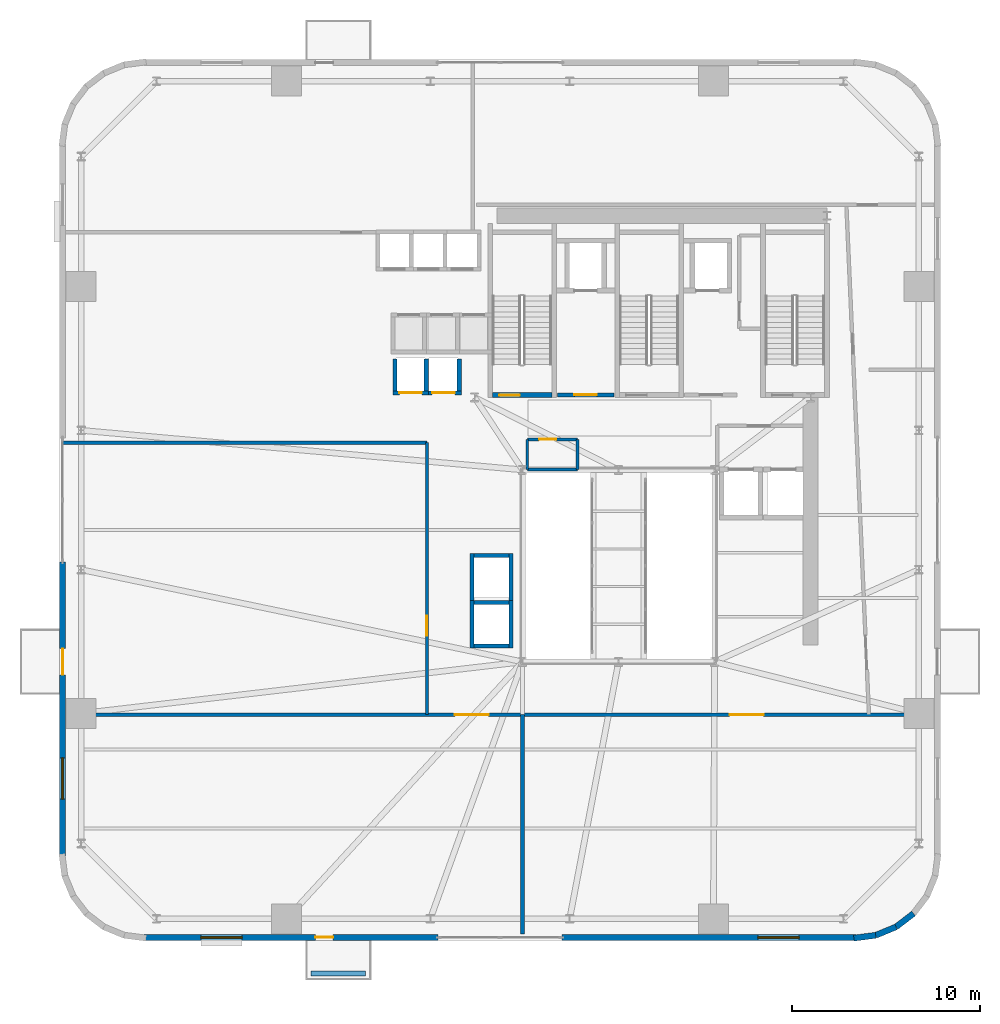
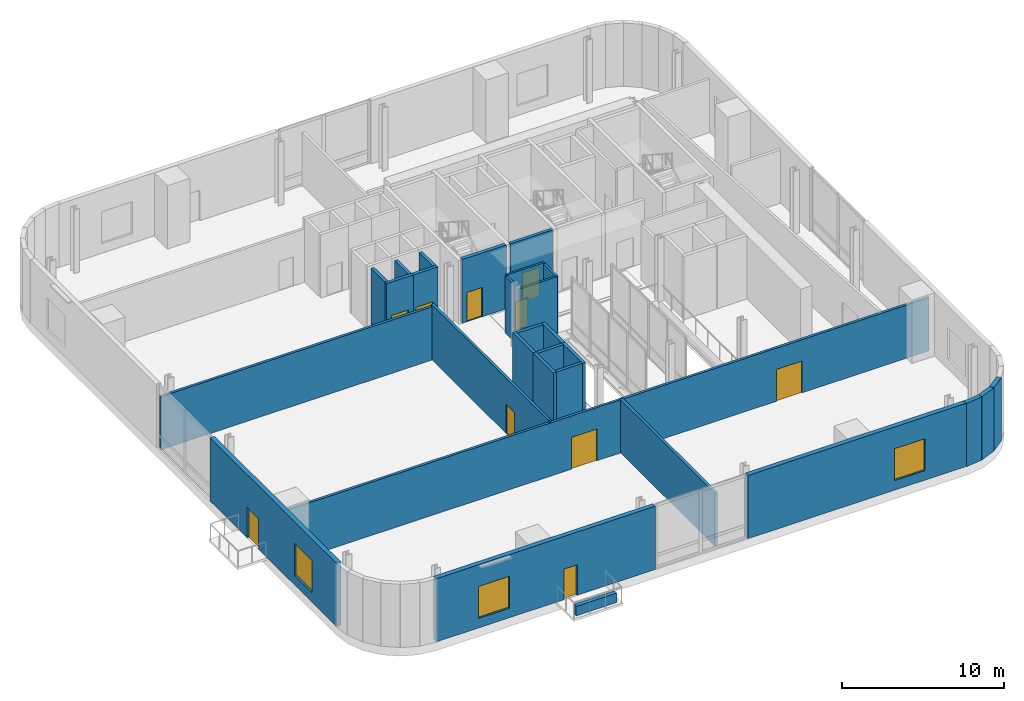
# One storey, part 7 of 13: 29 walls, 10 doors, 3 windows, 13 openings.
"""IFC4 building model written with IfcOpenShell, lengths in metres."""

from ifc_helpers import new_model, si_unit, direction, frame, frame_2d, origin, place, context, subcontext, project, spatial, rectangle, extrude, source, transform, mapped, material, layer, layer_set, type_object, element, fill, save


model = new_model("IFC4")

# Units and contexts
model_context = context("Model", 3, precision=1e-05, world=origin(), true_north=direction((0.0, 1.0)))
body_context = subcontext(model_context, "Body", "Model", "MODEL_VIEW")
ifc_project = project(units=[si_unit("LENGTHUNIT", "METRE"), si_unit("AREAUNIT", "SQUARE_METRE"), si_unit("VOLUMEUNIT", "CUBIC_METRE"), si_unit("PLANEANGLEUNIT", "RADIAN"), si_unit("MASSUNIT", "GRAM", prefix="KILO")], contexts=[model_context])

# Site, building, storey
site_placement = place(None, origin())
site = spatial("IfcSite", under=ifc_project, at=site_placement, CompositionType="ELEMENT")
building_placement = place(site_placement, origin())
building = spatial("IfcBuilding", under=site, at=building_placement, Name="Vardaveli Station Tower", CompositionType="ELEMENT")
storey_placement = place(building_placement, frame((0.0, 0.0, 98.699951171875)))
storey = spatial("IfcBuildingStorey", under=building, at=storey_placement, Name="L25", CompositionType="ELEMENT", Elevation=98.699951171875)

# Wall
ifc_material_1 = material(Name="Precast concrete C45/55", Category="concrete")
ifc_layer_1 = layer(ifc_material_1, 0.280029296875, Name="Precast concrete C45/55")
ifc_layer_set_1 = layer_set([ifc_layer_1], Name="Precast concrete C45/55")
wall_type_1 = type_object("IfcWallType", Name="WAL-PARAPET-280", PredefinedType="SOLIDWALL", material=ifc_layer_set_1)
shared_shape_1 = source(origin(), body_context, "Body", "SweptSolid", [
    extrude(rectangle(XDim=2.89990234375, YDim=0.280029296875, at=frame_2d((1.449951171875, 0.0))), origin(), (0.0, 0.0, 1.0), 0.719970703125),
])
wall_1_placement = place(storey_placement, frame((19.96044921875, 0.050048828125, 0.0), z_axis=(0.0, 0.0, 1.0), x_axis=(1.0, 0.0, 0.0)))
element("IfcWall", 1, at=wall_1_placement, inside=storey, type_object=wall_type_1, Name="Terrace Travertine Planter L25", PredefinedType="SOLIDWALL", context=body_context, shape_type="MappedRepresentation", body=[
    mapped(shared_shape_1, transform((0.0, 0.0, 0.0), scale=1.0)),
])

# Wall, openings, window, door
ifc_layer_2 = layer(ifc_material_1, 0.320068359375, Name="Precast concrete C45/55")
ifc_layer_set_2 = layer_set([ifc_layer_2], Name="Precast concrete C45/55")
wall_type_2 = type_object("IfcWallType", Name="WAL-EXT-STONE-320", PredefinedType="SOLIDWALL", material=ifc_layer_set_2)
shared_shape_2 = source(origin(), body_context, "Body", "SweptSolid", [
    extrude(rectangle(XDim=15.599853515625, YDim=0.320068359375, at=frame_2d((7.7998046875, 0.0))), origin(), (0.0, 0.0, 1.0), 4.760009765625),
])
wall_2_placement = place(storey_placement, frame((11.10009765625, 1.9599609375, 0.0), z_axis=(0.0, 0.0, 1.0), x_axis=(1.0, 0.0, 0.0)))
wall_2 = element("IfcWall", 2, at=wall_2_placement, inside=storey, type_object=wall_type_2, Name="EW-L25-S1", PredefinedType="SOLIDWALL", context=body_context, shape_type="MappedRepresentation", body=[
    mapped(shared_shape_2, transform((0.0, 0.0, 0.0), scale=1.0)),
])
shared_shape_3 = source(origin(), body_context, "Body", "SweptSolid", [
    extrude(rectangle(XDim=0.949951171875, YDim=2.300048828125, at=frame_2d((0.47509765625, 1.14990234375))), frame((0.0, 0.169921875, 0.0), z_axis=(0.0, -1.0, 0.0), x_axis=(1.0, 0.0, 0.0)), (0.0, 0.0, 1.0), 0.340087890625),
])
opening_1_placement = place(wall_2_placement, frame((9.08544921875, 0.0, 0.0)))
opening_1 = element("IfcOpeningElement", 3, at=opening_1_placement, cuts=wall_2, Name="Opening D-10", PredefinedType="OPENING", context=body_context, shape_type="MappedRepresentation", body=[
    mapped(shared_shape_3, transform((0.0, 0.0, 0.0), scale=1.0)),
])
shared_shape_4 = source(origin(), body_context, "Body", "SweptSolid", [
    extrude(rectangle(XDim=2.199951171875, YDim=2.39990234375, at=frame_2d((1.10009765625, 1.199951171875))), frame((0.0, 0.169921875, 0.0), z_axis=(0.0, -1.0, 0.0), x_axis=(1.0, 0.0, 0.0)), (0.0, 0.0, 1.0), 0.340087890625),
])
opening_2_placement = place(wall_2_placement, frame((3.0048828125, 0.0, 0.719970703125)))
opening_2 = element("IfcOpeningElement", 4, at=opening_2_placement, cuts=wall_2, Name="Opening W-03", PredefinedType="OPENING", context=body_context, shape_type="MappedRepresentation", body=[
    mapped(shared_shape_4, transform((0.0, 0.0, 0.0), scale=1.0)),
])
ifc_material_2 = material(Name="Low-E solar-control glass", Category="glass")
window_type = type_object("IfcWindowType", Name="WIN-LOG-2200x2400", PartitioningType="SINGLE_PANEL", PredefinedType="WINDOW", material=ifc_material_2)
shared_shape_5 = source(origin(), body_context, "Body", "SweptSolid", [
    extrude(rectangle(XDim=2.199951171875, YDim=2.39990234375, at=frame_2d((1.10009765625, 1.199951171875))), frame((0.0, 0.030029296875, 0.0), z_axis=(0.0, -1.0, 0.0), x_axis=(1.0, 0.0, 0.0)), (0.0, 0.0, 1.0), 0.06005859375),
])
window_1_placement = place(opening_2_placement, origin())
window_1 = element("IfcWindow", 5, at=window_1_placement, inside=storey, type_object=window_type, Name="WN-L25-S1", OverallHeight=2.39990234375, OverallWidth=2.199951171875, PartitioningType="SINGLE_PANEL", PredefinedType="WINDOW", context=body_context, shape_type="MappedRepresentation", body=[
    mapped(shared_shape_5, transform((0.0, 0.0, 0.0), scale=1.0)),
])
fill(opening_2, window_1)
ifc_material_3 = material(Name="Thermally broken aluminium glass", Category="aluminium")
door_type_1 = type_object("IfcDoorType", Name="DR-LOG-950x2300", OperationType="NOTDEFINED", PredefinedType="DOOR", material=ifc_material_3)
shared_shape_6 = source(origin(), body_context, "Body", "SweptSolid", [
    extrude(rectangle(XDim=0.949951171875, YDim=2.300048828125, at=frame_2d((0.47509765625, 1.14990234375))), frame((0.0, 0.02490234375, 0.0), z_axis=(0.0, -1.0, 0.0), x_axis=(1.0, 0.0, 0.0)), (0.0, 0.0, 1.0), 0.050048828125),
])
door_1_placement = place(opening_1_placement, frame((0.949951171875, 0.0, 0.0), z_axis=(0.0, 0.0, 1.0), x_axis=(-1.0, 0.0, 0.0)))
door_1 = element("IfcDoor", 6, at=door_1_placement, inside=storey, type_object=door_type_1, Name="DLG-L25-S", OperationType="NOTDEFINED", OverallHeight=2.300048828125, OverallWidth=0.949951171875, PredefinedType="DOOR", context=body_context, shape_type="MappedRepresentation", body=[
    mapped(shared_shape_6, transform((0.0, 0.0, 0.0), scale=1.0)),
])
fill(opening_1, door_1)

# Wall, opening, window
wall_3_placement = place(storey_placement, frame((33.300048828125, 1.9599609375, 0.0), z_axis=(0.0, 0.0, 1.0), x_axis=(1.0, 0.0, 0.0)))
wall_3 = element("IfcWall", 7, at=wall_3_placement, inside=storey, type_object=wall_type_2, Name="EW-L25-S2", PredefinedType="SOLIDWALL", context=body_context, shape_type="MappedRepresentation", body=[
    mapped(shared_shape_2, transform((0.0, 0.0, 0.0), scale=1.0)),
])
opening_3_placement = place(wall_3_placement, frame((10.39501953125, 0.0, 0.719970703125)))
opening_3 = element("IfcOpeningElement", 8, at=opening_3_placement, cuts=wall_3, Name="Opening W-03", PredefinedType="OPENING", context=body_context, shape_type="MappedRepresentation", body=[
    mapped(shared_shape_4, transform((0.0, 0.0, 0.0), scale=1.0)),
])
window_2_placement = place(opening_3_placement, origin())
window_2 = element("IfcWindow", 9, at=window_2_placement, inside=storey, type_object=window_type, Name="WN-L25-S2", OverallHeight=2.39990234375, OverallWidth=2.199951171875, PartitioningType="SINGLE_PANEL", PredefinedType="WINDOW", context=body_context, shape_type="MappedRepresentation", body=[
    mapped(shared_shape_5, transform((0.0, 0.0, 0.0), scale=1.0)),
])
fill(opening_3, window_2)

# Wall, openings, door, window
wall_4_placement = place(storey_placement, frame((6.760009765625, 21.89990234375, 0.0), z_axis=(0.0, 0.0, 1.0), x_axis=(0.0, -1.0, 0.0)))
wall_4 = element("IfcWall", 10, at=wall_4_placement, inside=storey, type_object=wall_type_2, Name="EW-L25-W2", PredefinedType="SOLIDWALL", context=body_context, shape_type="MappedRepresentation", body=[
    mapped(shared_shape_2, transform((0.0, 0.0, 0.0), scale=1.0)),
])
shared_shape_7 = source(origin(), body_context, "Body", "SweptSolid", [
    extrude(rectangle(XDim=1.39990234375, YDim=2.300048828125, at=frame_2d((0.699951171875, 1.14990234375))), frame((0.0, 0.169921875, 0.0), z_axis=(0.0, -1.0, 0.0), x_axis=(1.0, 0.0, 0.0)), (0.0, 0.0, 1.0), 0.340087890625),
])
opening_4_placement = place(wall_4_placement, frame((4.589599609375, 0.0, 0.0)))
opening_4 = element("IfcOpeningElement", 11, at=opening_4_placement, cuts=wall_4, Name="Opening D-09", PredefinedType="OPENING", context=body_context, shape_type="MappedRepresentation", body=[
    mapped(shared_shape_7, transform((0.0, 0.0, 0.0), scale=1.0)),
])
opening_5_placement = place(wall_4_placement, frame((10.39501953125, 0.0, 0.719970703125)))
opening_5 = element("IfcOpeningElement", 12, at=opening_5_placement, cuts=wall_4, Name="Opening W-03", PredefinedType="OPENING", context=body_context, shape_type="MappedRepresentation", body=[
    mapped(shared_shape_4, transform((0.0, 0.0, 0.0), scale=1.0)),
])
door_type_2 = type_object("IfcDoorType", Name="DR-LOG-1400x2300", OperationType="DOUBLE_DOOR_SLIDING", PredefinedType="DOOR", material=ifc_material_3)
shared_shape_8 = source(origin(), body_context, "Body", "SweptSolid", [
    extrude(rectangle(XDim=1.39990234375, YDim=2.300048828125, at=frame_2d((0.699951171875, 1.14990234375))), frame((0.0, 0.02490234375, 0.0), z_axis=(0.0, -1.0, 0.0), x_axis=(1.0, 0.0, 0.0)), (0.0, 0.0, 1.0), 0.050048828125),
])
door_2_placement = place(opening_4_placement, frame((1.39990234375, 0.0, 0.0), z_axis=(0.0, 0.0, 1.0), x_axis=(-1.0, 0.0, 0.0)))
door_2 = element("IfcDoor", 13, at=door_2_placement, inside=storey, type_object=door_type_2, Name="DLG-L25-W", OperationType="DOUBLE_DOOR_SLIDING", OverallHeight=2.300048828125, OverallWidth=1.39990234375, PredefinedType="DOOR", context=body_context, shape_type="MappedRepresentation", body=[
    mapped(shared_shape_8, transform((0.0, 0.0, 0.0), scale=1.0)),
])
fill(opening_4, door_2)
window_3_placement = place(opening_5_placement, origin())
window_3 = element("IfcWindow", 14, at=window_3_placement, inside=storey, type_object=window_type, Name="WN-L25-W2", OverallHeight=2.39990234375, OverallWidth=2.199951171875, PartitioningType="SINGLE_PANEL", PredefinedType="WINDOW", context=body_context, shape_type="MappedRepresentation", body=[
    mapped(shared_shape_5, transform((0.0, 0.0, 0.0), scale=1.0)),
])
fill(opening_5, window_3)

# Walls
shared_shape_9 = source(origin(), body_context, "Body", "SweptSolid", [
    extrude(rectangle(XDim=1.168701171875, YDim=0.320068359375, at=frame_2d((0.58447265625, 0.0))), origin(), (0.0, 0.0, 1.0), 4.760009765625),
])
wall_5_placement = place(storey_placement, frame((51.041259765625, 2.520263671875, 0.0), z_axis=(0.0, 0.0, 1.0), x_axis=(0.793663520347, 0.608356981114, 0.0)))
element("IfcWall", 15, at=wall_5_placement, inside=storey, type_object=wall_type_2, Name="EW-L25-CR2-3", PredefinedType="SOLIDWALL", context=body_context, shape_type="MappedRepresentation", body=[
    mapped(shared_shape_9, transform((0.0, 0.0, 0.0), scale=1.0)),
])
shared_shape_10 = source(origin(), body_context, "Body", "SweptSolid", [
    extrude(rectangle(XDim=1.16943359375, YDim=0.320068359375, at=frame_2d((0.584716796875, 0.0))), origin(), (0.0, 0.0, 1.0), 4.760009765625),
])
wall_6_placement = place(storey_placement, frame((49.960205078125, 2.074462890625, 0.0), z_axis=(0.0, 0.0, 1.0), x_axis=(0.924479075121, 0.381232789334, 0.0)))
element("IfcWall", 16, at=wall_6_placement, inside=storey, type_object=wall_type_2, Name="EW-L25-CR2-2", PredefinedType="SOLIDWALL", context=body_context, shape_type="MappedRepresentation", body=[
    mapped(shared_shape_10, transform((0.0, 0.0, 0.0), scale=1.0)),
])
shared_shape_11 = source(origin(), body_context, "Body", "SweptSolid", [
    extrude(rectangle(XDim=1.170166015625, YDim=0.320068359375, at=frame_2d((0.5849609375, 0.0))), origin(), (0.0, 0.0, 1.0), 4.760009765625),
])
wall_7_placement = place(storey_placement, frame((48.799560546875, 1.924560546875, 0.0), z_axis=(0.0, 0.0, 1.0), x_axis=(0.991762485493, 0.128090485085, 0.0)))
element("IfcWall", 17, at=wall_7_placement, inside=storey, type_object=wall_type_2, Name="EW-L25-CR2-1", PredefinedType="SOLIDWALL", context=body_context, shape_type="MappedRepresentation", body=[
    mapped(shared_shape_11, transform((0.0, 0.0, 0.0), scale=1.0)),
])

# Wall, opening, door
ifc_material_4 = material(Name="Concrete C40/50", Category="concrete")
ifc_layer_3 = layer(ifc_material_4, 0.25, Name="Concrete C40/50")
ifc_layer_set_3 = layer_set([ifc_layer_3], Name="Concrete C40/50")
wall_type_3 = type_object("IfcWallType", Name="WAL-SHAFT-250", PredefinedType="SOLIDWALL", material=ifc_layer_set_3)
shared_shape_12 = source(origin(), body_context, "Body", "SweptSolid", [
    extrude(rectangle(XDim=3.14990234375, YDim=0.25, at=frame_2d((1.574951171875, 0.0))), origin(), (0.0, 0.0, 1.0), 4.800048828125),
])
wall_8_placement = place(storey_placement, frame((29.60009765625, 30.77490234375, 0.0), z_axis=(0.0, 0.0, 1.0), x_axis=(1.0, 0.0, 0.0)))
wall_8 = element("IfcWall", 18, at=wall_8_placement, inside=storey, type_object=wall_type_3, Name="W-L25-ST-1S", PredefinedType="SOLIDWALL", context=body_context, shape_type="MappedRepresentation", body=[
    mapped(shared_shape_12, transform((0.0, 0.0, 0.0), scale=1.0)),
])
shared_shape_13 = source(origin(), body_context, "Body", "SweptSolid", [
    extrude(rectangle(XDim=1.10009765625, YDim=2.199951171875, at=frame_2d((0.550048828125, 1.10009765625))), frame((0.0, 0.135009765625, 0.0), z_axis=(0.0, -1.0, 0.0), x_axis=(1.0, 0.0, 0.0)), (0.0, 0.0, 1.0), 0.27001953125),
])
opening_6_placement = place(wall_8_placement, frame((0.35009765625, 0.0, 0.0)))
opening_6 = element("IfcOpeningElement", 19, at=opening_6_placement, cuts=wall_8, Name="Opening D-04", PredefinedType="OPENING", context=body_context, shape_type="MappedRepresentation", body=[
    mapped(shared_shape_13, transform((0.0, 0.0, 0.0), scale=1.0)),
])
ifc_material_5 = material(Name="Steel smokeproof fire doorset", Category="steel")
door_type_3 = type_object("IfcDoorType", Name="DR-ST-1100x2200", OperationType="NOTDEFINED", PredefinedType="DOOR", material=ifc_material_5)
shared_shape_14 = source(origin(), body_context, "Body", "SweptSolid", [
    extrude(rectangle(XDim=1.10009765625, YDim=2.199951171875, at=frame_2d((0.550048828125, 1.10009765625))), frame((0.0, 0.02490234375, 0.0), z_axis=(0.0, -1.0, 0.0), x_axis=(1.0, 0.0, 0.0)), (0.0, 0.0, 1.0), 0.050048828125),
])
door_3_placement = place(opening_6_placement, origin())
door_3 = element("IfcDoor", 20, at=door_3_placement, inside=storey, type_object=door_type_3, Name="DST-1-L25", OperationType="SINGLE_SWING_LEFT", OverallHeight=2.199951171875, OverallWidth=1.10009765625, PredefinedType="DOOR", context=body_context, shape_type="MappedRepresentation", body=[
    mapped(shared_shape_14, transform((0.0, 0.0, 0.0), scale=1.0)),
])
fill(opening_6, door_3)

ifc_layer_4 = layer(ifc_material_4, 0.219970703125, Name="Concrete C40/50")
ifc_layer_set_4 = layer_set([ifc_layer_4], Name="Concrete C40/50")
wall_type_4 = type_object("IfcWallType", Name="WAL-FFLOBBY-220", PredefinedType="SOLIDWALL", material=ifc_layer_set_4)
shared_shape_15 = source(origin(), body_context, "Body", "SweptSolid", [
    extrude(rectangle(XDim=3.0, YDim=0.219970703125, at=frame_2d((1.5, 0.0))), origin(), (0.0, 0.0, 1.0), 4.760009765625),
])
wall_9_placement = place(storey_placement, frame((33.050048828125, 30.780029296875, 0.0), z_axis=(0.0, 0.0, 1.0), x_axis=(1.0, 0.0, 0.0)))
wall_9 = element("IfcWall", 21, at=wall_9_placement, inside=storey, type_object=wall_type_4, Name="W-L25-FFL1S", PredefinedType="SOLIDWALL", context=body_context, shape_type="MappedRepresentation", body=[
    mapped(shared_shape_15, transform((0.0, 0.0, 0.0), scale=1.0)),
])
shared_shape_16 = source(origin(), body_context, "Body", "SweptSolid", [
    extrude(rectangle(XDim=1.199951171875, YDim=2.199951171875, at=frame_2d((0.60009765625, 1.10009765625))), frame((0.0, 0.1201171875, 0.0), z_axis=(0.0, -1.0, 0.0), x_axis=(1.0, 0.0, 0.0)), (0.0, 0.0, 1.0), 0.239990234375),
])
opening_7_placement = place(wall_9_placement, frame((0.89990234375, 0.0, 0.0)))
opening_7 = element("IfcOpeningElement", 22, at=opening_7_placement, cuts=wall_9, Name="Opening D-03", PredefinedType="OPENING", context=body_context, shape_type="MappedRepresentation", body=[
    mapped(shared_shape_16, transform((0.0, 0.0, 0.0), scale=1.0)),
])
door_type_4 = type_object("IfcDoorType", Name="DR-FFL-1200x2200", OperationType="NOTDEFINED", PredefinedType="DOOR", material=ifc_material_5)
shared_shape_17 = source(origin(), body_context, "Body", "SweptSolid", [
    extrude(rectangle(XDim=1.199951171875, YDim=2.199951171875, at=frame_2d((0.60009765625, 1.10009765625))), frame((0.0, 0.02490234375, 0.0), z_axis=(0.0, -1.0, 0.0), x_axis=(1.0, 0.0, 0.0)), (0.0, 0.0, 1.0), 0.050048828125),
])
door_4_placement = place(opening_7_placement, origin())
door_4 = element("IfcDoor", 23, at=door_4_placement, inside=storey, type_object=door_type_4, Name="DFFL1-L25", OperationType="SINGLE_SWING_LEFT", OverallHeight=2.199951171875, OverallWidth=1.199951171875, PredefinedType="DOOR", context=body_context, shape_type="MappedRepresentation", body=[
    mapped(shared_shape_17, transform((0.0, 0.0, 0.0), scale=1.0)),
])
fill(opening_7, door_4)

shared_shape_18 = source(origin(), body_context, "Body", "SweptSolid", [
    extrude(rectangle(XDim=1.89013671875, YDim=0.219970703125, at=frame_2d((0.945068359375, 0.0))), origin(), (0.0, 0.0, 1.0), 4.760009765625),
])
wall_10_placement = place(storey_placement, frame((24.304931640625, 30.889892578125, 0.0), z_axis=(0.0, 0.0, 1.0), x_axis=(1.0, 0.0, 0.0)))
wall_10 = element("IfcWall", 24, at=wall_10_placement, inside=storey, type_object=wall_type_4, Name="SHW-SHU-01-L25-S", PredefinedType="SOLIDWALL", context=body_context, shape_type="MappedRepresentation", body=[
    mapped(shared_shape_18, transform((0.0, 0.0, 0.0), scale=1.0)),
])
shared_shape_19 = source(origin(), body_context, "Body", "SweptSolid", [
    extrude(rectangle(XDim=1.199951171875, YDim=2.25, at=frame_2d((0.60009765625, 1.125))), frame((0.0, 0.1201171875, 0.0), z_axis=(0.0, -1.0, 0.0), x_axis=(1.0, 0.0, 0.0)), (0.0, 0.0, 1.0), 0.239990234375),
])
opening_8_placement = place(wall_10_placement, frame((0.344970703125, 0.0, 0.0)))
opening_8 = element("IfcOpeningElement", 25, at=opening_8_placement, cuts=wall_10, Name="Opening LD-02", PredefinedType="OPENING", context=body_context, shape_type="MappedRepresentation", body=[
    mapped(shared_shape_19, transform((0.0, 0.0, 0.0), scale=1.0)),
])
ifc_material_6 = material(Name="Brushed stainless steel", Category="steel")
door_type_5 = type_object("IfcDoorType", Name="DR-LD-1200x2250", OperationType="DOUBLE_DOOR_SLIDING", PredefinedType="DOOR", material=ifc_material_6)
shared_shape_20 = source(origin(), body_context, "Body", "SweptSolid", [
    extrude(rectangle(XDim=1.199951171875, YDim=2.25, at=frame_2d((0.60009765625, 1.125))), frame((0.0, 0.02490234375, 0.0), z_axis=(0.0, -1.0, 0.0), x_axis=(1.0, 0.0, 0.0)), (0.0, 0.0, 1.0), 0.050048828125),
])
door_5_placement = place(opening_8_placement, origin())
door_5 = element("IfcDoor", 26, at=door_5_placement, inside=storey, type_object=door_type_5, Name="LD-SHU-01-L25", OperationType="DOUBLE_DOOR_SLIDING", OverallHeight=2.25, OverallWidth=1.199951171875, PredefinedType="DOOR", context=body_context, shape_type="MappedRepresentation", body=[
    mapped(shared_shape_20, transform((0.0, 0.0, 0.0), scale=1.0)),
])
fill(opening_8, door_5)

wall_11_placement = place(storey_placement, frame((26.054931640625, 30.889892578125, 0.0), z_axis=(0.0, 0.0, 1.0), x_axis=(1.0, 0.0, 0.0)))
wall_11 = element("IfcWall", 27, at=wall_11_placement, inside=storey, type_object=wall_type_4, Name="SHW-SHU-02-L25-S", PredefinedType="SOLIDWALL", context=body_context, shape_type="MappedRepresentation", body=[
    mapped(shared_shape_18, transform((0.0, 0.0, 0.0), scale=1.0)),
])
opening_9_placement = place(wall_11_placement, frame((0.344970703125, 0.0, 0.0)))
opening_9 = element("IfcOpeningElement", 28, at=opening_9_placement, cuts=wall_11, Name="Opening LD-02", PredefinedType="OPENING", context=body_context, shape_type="MappedRepresentation", body=[
    mapped(shared_shape_19, transform((0.0, 0.0, 0.0), scale=1.0)),
])
door_6_placement = place(opening_9_placement, origin())
door_6 = element("IfcDoor", 29, at=door_6_placement, inside=storey, type_object=door_type_5, Name="LD-SHU-02-L25", OperationType="DOUBLE_DOOR_SLIDING", OverallHeight=2.25, OverallWidth=1.199951171875, PredefinedType="DOOR", context=body_context, shape_type="MappedRepresentation", body=[
    mapped(shared_shape_20, transform((0.0, 0.0, 0.0), scale=1.0)),
])
fill(opening_9, door_6)

# Walls
shared_shape_21 = source(origin(), body_context, "Body", "SweptSolid", [
    extrude(rectangle(XDim=1.699951171875, YDim=0.219970703125, at=frame_2d((0.85009765625, 0.0))), origin(), (0.0, 0.0, 1.0), 4.760009765625),
])
for number, where, z_axis, x_axis, name in (
    (30, (24.4150390625, 31.0, 0.0), (0.0, 0.0, 1.0), (0.0, 1.0, 0.0), "SHW-SHU-01-L25-W"),
    (31, (26.0849609375, 31.0, 0.0), (0.0, 0.0, 1.0), (0.0, 1.0, 0.0), "SHW-SHU-01-L25-E"),
    (32, (27.8349609375, 31.0, 0.0), (0.0, 0.0, 1.0), (0.0, 1.0, 0.0), "SHW-SHU-02-L25-E"),
):
    element("IfcWall", number, at=place(storey_placement, frame(where, z_axis=z_axis, x_axis=x_axis)), inside=storey, type_object=wall_type_4, Name=name, PredefinedType="SOLIDWALL", context=body_context, shape_type="MappedRepresentation", body=[
        mapped(shared_shape_21, transform((0.0, 0.0, 0.0), scale=1.0)),
    ])
shared_shape_22 = source(origin(), body_context, "Body", "SweptSolid", [
    extrude(rectangle(XDim=1.85009765625, YDim=0.219970703125, at=frame_2d((0.925048828125, 0.0))), origin(), (0.0, 0.0, 1.0), 4.760009765625),
])
for number, where, z_axis, x_axis, name in (
    (33, (28.625, 17.43994140625, 0.0), (0.0, 0.0, 1.0), (1.0, 0.0, 0.0), "SHW-OBS-01-L25-S"),
    (34, (28.625, 19.760009765625, 0.0), (0.0, 0.0, 1.0), (1.0, 0.0, 0.0), "SHW-OBS-01-L25-N"),
    (35, (28.625, 22.260009765625, 0.0), (0.0, 0.0, 1.0), (1.0, 0.0, 0.0), "SHW-OBS-02-L25-N"),
):
    element("IfcWall", number, at=place(storey_placement, frame(where, z_axis=z_axis, x_axis=x_axis)), inside=storey, type_object=wall_type_4, Name=name, PredefinedType="SOLIDWALL", context=body_context, shape_type="MappedRepresentation", body=[
        mapped(shared_shape_22, transform((0.0, 0.0, 0.0), scale=1.0)),
    ])
shared_shape_23 = source(origin(), body_context, "Body", "SweptSolid", [
    extrude(rectangle(XDim=2.5400390625, YDim=0.219970703125, at=frame_2d((1.27001953125, 0.0))), origin(), (0.0, 0.0, 1.0), 4.760009765625),
])
for number, where, z_axis, x_axis, name in (
    (36, (28.514892578125, 17.330078125, 0.0), (0.0, 0.0, 1.0), (0.0, 1.0, 0.0), "SHW-OBS-01-L25-W"),
    (37, (30.5849609375, 17.330078125, 0.0), (0.0, 0.0, 1.0), (0.0, 1.0, 0.0), "SHW-OBS-01-L25-E"),
    (38, (28.514892578125, 19.830078125, 0.0), (0.0, 0.0, 1.0), (0.0, 1.0, 0.0), "SHW-OBS-02-L25-W"),
    (39, (30.5849609375, 19.830078125, 0.0), (0.0, 0.0, 1.0), (0.0, 1.0, 0.0), "SHW-OBS-02-L25-E"),
):
    element("IfcWall", number, at=place(storey_placement, frame(where, z_axis=z_axis, x_axis=x_axis)), inside=storey, type_object=wall_type_4, Name=name, PredefinedType="SOLIDWALL", context=body_context, shape_type="MappedRepresentation", body=[
        mapped(shared_shape_23, transform((0.0, 0.0, 0.0), scale=1.0)),
    ])

# Wall, openings, doors
ifc_material_7 = material(Name="Fire-rated gypsum stud partition")
ifc_layer_5 = layer(ifc_material_7, 0.179931640625, Name="Fire-rated gypsum stud partition")
ifc_layer_set_5 = layer_set([ifc_layer_5], Name="Fire-rated gypsum stud partition")
wall_type_5 = type_object("IfcWallType", Name="WAL-CORR-180", PredefinedType="PARTITIONING", material=ifc_layer_set_5)
shared_shape_24 = source(origin(), body_context, "Body", "SweptSolid", [
    extrude(rectangle(XDim=46.10009765625, YDim=0.179931640625, at=frame_2d((23.050048828125, 0.0))), origin(), (0.0, 0.0, 1.0), 4.001953125),
])
wall_12_placement = place(storey_placement, frame((6.949951171875, 13.800048828125, 0.0), z_axis=(0.0, 0.0, 1.0), x_axis=(1.0, 0.0, 0.0)))
wall_12 = element("IfcWall", 40, at=wall_12_placement, inside=storey, type_object=wall_type_5, Name="W-L25-CS", PredefinedType="PARTITIONING", context=body_context, shape_type="MappedRepresentation", body=[
    mapped(shared_shape_24, transform((0.0, 0.0, 0.0), scale=1.0)),
])
shared_shape_25 = source(origin(), body_context, "Body", "SweptSolid", [
    extrude(rectangle(XDim=1.800048828125, YDim=2.39990234375, at=frame_2d((0.89990234375, 1.199951171875))), frame((0.0, 0.10009765625, 0.0), z_axis=(0.0, -1.0, 0.0), x_axis=(1.0, 0.0, 0.0)), (0.0, 0.0, 1.0), 0.199951171875),
])
opening_10_placement = place(wall_12_placement, frame((20.64990234375, 0.0, 0.0)))
opening_10 = element("IfcOpeningElement", 41, at=opening_10_placement, cuts=wall_12, Name="Opening D-01", PredefinedType="OPENING", context=body_context, shape_type="MappedRepresentation", body=[
    mapped(shared_shape_25, transform((0.0, 0.0, 0.0), scale=1.0)),
])
opening_11_placement = place(wall_12_placement, frame((35.25, 0.0, 0.0)))
opening_11 = element("IfcOpeningElement", 42, at=opening_11_placement, cuts=wall_12, Name="Opening D-01", PredefinedType="OPENING", context=body_context, shape_type="MappedRepresentation", body=[
    mapped(shared_shape_25, transform((0.0, 0.0, 0.0), scale=1.0)),
])
ifc_material_8 = material(Name="Acoustic hardwood fire doorset", Category="wood")
door_type_6 = type_object("IfcDoorType", Name="DR-BALL-1800x2400", OperationType="DOUBLE_DOOR_SINGLE_SWING", PredefinedType="DOOR", material=ifc_material_8)
shared_shape_26 = source(origin(), body_context, "Body", "SweptSolid", [
    extrude(rectangle(XDim=1.800048828125, YDim=2.39990234375, at=frame_2d((0.89990234375, 1.199951171875))), frame((0.0, 0.02490234375, 0.0), z_axis=(0.0, -1.0, 0.0), x_axis=(1.0, 0.0, 0.0)), (0.0, 0.0, 1.0), 0.050048828125),
])
door_7_placement = place(opening_10_placement, origin())
door_7 = element("IfcDoor", 43, at=door_7_placement, inside=storey, type_object=door_type_6, Name="D-L25-SKG", OperationType="DOUBLE_DOOR_SINGLE_SWING", OverallHeight=2.39990234375, OverallWidth=1.800048828125, PredefinedType="DOOR", context=body_context, shape_type="MappedRepresentation", body=[
    mapped(shared_shape_26, transform((0.0, 0.0, 0.0), scale=1.0)),
])
fill(opening_10, door_7)
door_8_placement = place(opening_11_placement, origin())
door_8 = element("IfcDoor", 44, at=door_8_placement, inside=storey, type_object=door_type_6, Name="D-L25-BAR", OperationType="DOUBLE_DOOR_SINGLE_SWING", OverallHeight=2.39990234375, OverallWidth=1.800048828125, PredefinedType="DOOR", context=body_context, shape_type="MappedRepresentation", body=[
    mapped(shared_shape_26, transform((0.0, 0.0, 0.0), scale=1.0)),
])
fill(opening_11, door_8)

# Wall, opening, door
shared_shape_27 = source(origin(), body_context, "Body", "SweptSolid", [
    extrude(rectangle(XDim=14.449951171875, YDim=0.179931640625, at=frame_2d((7.22509765625, 0.0))), origin(), (0.0, 0.0, 1.0), 4.152099609375),
])
wall_13_placement = place(storey_placement, frame((26.1201171875, 13.800048828125, 0.0), z_axis=(0.0, 0.0, 1.0), x_axis=(0.0, 1.0, 0.0)))
wall_13 = element("IfcWall", 45, at=wall_13_placement, inside=storey, type_object=wall_type_5, Name="W-L25-MTGW", PredefinedType="PARTITIONING", context=body_context, shape_type="MappedRepresentation", body=[
    mapped(shared_shape_27, transform((0.0, 0.0, 0.0), scale=1.0)),
])
shared_shape_28 = source(origin(), body_context, "Body", "SweptSolid", [
    extrude(rectangle(XDim=1.050048828125, YDim=2.199951171875, at=frame_2d((0.52490234375, 1.10009765625))), frame((0.0, 0.10009765625, 0.0), z_axis=(0.0, -1.0, 0.0), x_axis=(1.0, 0.0, 0.0)), (0.0, 0.0, 1.0), 0.199951171875),
])
opening_12_placement = place(wall_13_placement, frame((4.199951171875, 0.0, 0.0)))
opening_12 = element("IfcOpeningElement", 46, at=opening_12_placement, cuts=wall_13, Name="Opening D-05", PredefinedType="OPENING", context=body_context, shape_type="MappedRepresentation", body=[
    mapped(shared_shape_28, transform((0.0, 0.0, 0.0), scale=1.0)),
])
ifc_material_9 = material(Name="Walnut veneer acoustic fire door")
door_type_7 = type_object("IfcDoorType", Name="DR-SUITE-1050x2200", OperationType="NOTDEFINED", PredefinedType="DOOR", material=ifc_material_9)
shared_shape_29 = source(origin(), body_context, "Body", "SweptSolid", [
    extrude(rectangle(XDim=1.050048828125, YDim=2.199951171875, at=frame_2d((0.52490234375, 1.10009765625))), frame((0.0, 0.02490234375, 0.0), z_axis=(0.0, -1.0, 0.0), x_axis=(1.0, 0.0, 0.0)), (0.0, 0.0, 1.0), 0.050048828125),
])
door_9_placement = place(opening_12_placement, origin())
door_9 = element("IfcDoor", 47, at=door_9_placement, inside=storey, type_object=door_type_7, Name="D-L25-MTG", OperationType="SINGLE_SWING_RIGHT", OverallHeight=2.199951171875, OverallWidth=1.050048828125, PredefinedType="DOOR", context=body_context, shape_type="MappedRepresentation", body=[
    mapped(shared_shape_29, transform((0.0, 0.0, 0.0), scale=1.0)),
])
fill(opening_12, door_9)

ifc_material_10 = material(Name="Moisture-resistant stud partition")
ifc_layer_6 = layer(ifc_material_10, 0.14990234375, Name="Moisture-resistant stud partition")
ifc_layer_set_6 = layer_set([ifc_layer_6], Name="Moisture-resistant stud partition")
wall_type_6 = type_object("IfcWallType", Name="WAL-WET-150", PredefinedType="PARTITIONING", material=ifc_layer_set_6)
shared_shape_30 = source(origin(), body_context, "Body", "SweptSolid", [
    extrude(rectangle(XDim=2.670166015625, YDim=0.14990234375, at=frame_2d((1.3349609375, 0.0))), origin(), (0.0, 0.0, 1.0), 4.39208984375),
])
wall_14_placement = place(storey_placement, frame((31.449951171875, 28.419921875, 0.0), z_axis=(0.0, 0.0, 1.0), x_axis=(1.0, 0.0, 0.0)))
wall_14 = element("IfcWall", 48, at=wall_14_placement, inside=storey, type_object=wall_type_6, Name="W-L25-WCA1-N", PredefinedType="PARTITIONING", context=body_context, shape_type="MappedRepresentation", body=[
    mapped(shared_shape_30, transform((0.0, 0.0, 0.0), scale=1.0)),
])
shared_shape_31 = source(origin(), body_context, "Body", "SweptSolid", [
    extrude(rectangle(XDim=0.919921875, YDim=2.10009765625, at=frame_2d((0.4599609375, 1.050048828125))), frame((0.0, 0.0849609375, 0.0), z_axis=(0.0, -1.0, 0.0), x_axis=(1.0, 0.0, 0.0)), (0.0, 0.0, 1.0), 0.169921875),
])
opening_13_placement = place(wall_14_placement, frame((0.6298828125, 0.0, 0.0)))
opening_13 = element("IfcOpeningElement", 49, at=opening_13_placement, cuts=wall_14, Name="Opening D-07", PredefinedType="OPENING", context=body_context, shape_type="MappedRepresentation", body=[
    mapped(shared_shape_31, transform((0.0, 0.0, 0.0), scale=1.0)),
])
ifc_material_11 = material(Name="Moisture-resistant hardwood door", Category="wood")
door_type_8 = type_object("IfcDoorType", Name="DR-WC-920x2100", OperationType="NOTDEFINED", PredefinedType="DOOR", material=ifc_material_11)
shared_shape_32 = source(origin(), body_context, "Body", "SweptSolid", [
    extrude(rectangle(XDim=0.919921875, YDim=2.10009765625, at=frame_2d((0.4599609375, 1.050048828125))), frame((0.0, 0.02490234375, 0.0), z_axis=(0.0, -1.0, 0.0), x_axis=(1.0, 0.0, 0.0)), (0.0, 0.0, 1.0), 0.050048828125),
])
door_10_placement = place(opening_13_placement, origin())
door_10 = element("IfcDoor", 50, at=door_10_placement, inside=storey, type_object=door_type_8, Name="D-L25-WCA", OperationType="SINGLE_SWING_LEFT", OverallHeight=2.10009765625, OverallWidth=0.919921875, PredefinedType="DOOR", context=body_context, shape_type="MappedRepresentation", body=[
    mapped(shared_shape_32, transform((0.0, 0.0, 0.0), scale=1.0)),
])
fill(opening_13, door_10)

# Walls
shared_shape_33 = source(origin(), body_context, "Body", "SweptSolid", [
    extrude(rectangle(XDim=19.400146484375, YDim=0.179931640625, at=frame_2d((9.7001953125, 0.0))), origin(), (0.0, 0.0, 1.0), 4.001953125),
])
wall_15_placement = place(storey_placement, frame((6.719970703125, 28.25, 0.0), z_axis=(0.0, 0.0, 1.0), x_axis=(1.0, 0.0, 0.0)))
element("IfcWall", 51, at=wall_15_placement, inside=storey, type_object=wall_type_5, Name="W-L25-MTGN", PredefinedType="PARTITIONING", context=body_context, shape_type="MappedRepresentation", body=[
    mapped(shared_shape_33, transform((0.0, 0.0, 0.0), scale=1.0)),
])
ifc_material_12 = material(Name="Acoustic twin-stud gypsum partition")
ifc_layer_7 = layer(ifc_material_12, 0.199951171875, Name="Acoustic twin-stud gypsum partition")
ifc_layer_set_7 = layer_set([ifc_layer_7], Name="Acoustic twin-stud gypsum partition")
wall_type_7 = type_object("IfcWallType", Name="WAL-PARTY-200", PredefinedType="PARTITIONING", material=ifc_layer_set_7)
shared_shape_34 = source(origin(), body_context, "Body", "SweptSolid", [
    extrude(rectangle(XDim=11.650146484375, YDim=0.199951171875, at=frame_2d((5.8251953125, 0.0))), origin(), (0.0, 0.0, 1.0), 4.001953125),
])
wall_16_placement = place(storey_placement, frame((31.199951171875, 2.14990234375, 0.0), z_axis=(0.0, 0.0, 1.0), x_axis=(0.0, 1.0, 0.0)))
element("IfcWall", 52, at=wall_16_placement, inside=storey, type_object=wall_type_7, Name="W-L25-SB", PredefinedType="PARTITIONING", context=body_context, shape_type="MappedRepresentation", body=[
    mapped(shared_shape_34, transform((0.0, 0.0, 0.0), scale=1.0)),
])
shared_shape_35 = source(origin(), body_context, "Body", "SweptSolid", [
    extrude(rectangle(XDim=2.670166015625, YDim=0.14990234375, at=frame_2d((1.3349609375, 0.0))), origin(), (0.0, 0.0, 1.0), 4.302001953125),
])
wall_17_placement = place(storey_placement, frame((31.449951171875, 26.820068359375, 0.0), z_axis=(0.0, 0.0, 1.0), x_axis=(1.0, 0.0, 0.0)))
element("IfcWall", 53, at=wall_17_placement, inside=storey, type_object=wall_type_6, Name="W-L25-WCA1-S", PredefinedType="PARTITIONING", context=body_context, shape_type="MappedRepresentation", body=[
    mapped(shared_shape_35, transform((0.0, 0.0, 0.0), scale=1.0)),
])
shared_shape_36 = source(origin(), body_context, "Body", "SweptSolid", [
    extrude(rectangle(XDim=1.599853515625, YDim=0.14990234375, at=frame_2d((0.7998046875, 0.0))), origin(), (0.0, 0.0, 1.0), 4.302001953125),
])
for number, where, z_axis, x_axis, name in (
    (54, (31.449951171875, 26.820068359375, 0.0), (0.0, 0.0, 1.0), (0.0, 1.0, 0.0), "W-L25-WCA1-W"),
    (55, (34.1201171875, 26.820068359375, 0.0), (0.0, 0.0, 1.0), (0.0, 1.0, 0.0), "W-L25-WCA1-E"),
):
    element("IfcWall", number, at=place(storey_placement, frame(where, z_axis=z_axis, x_axis=x_axis)), inside=storey, type_object=wall_type_6, Name=name, PredefinedType="PARTITIONING", context=body_context, shape_type="MappedRepresentation", body=[
        mapped(shared_shape_36, transform((0.0, 0.0, 0.0), scale=1.0)),
    ])

save(model, "model.ifc")
